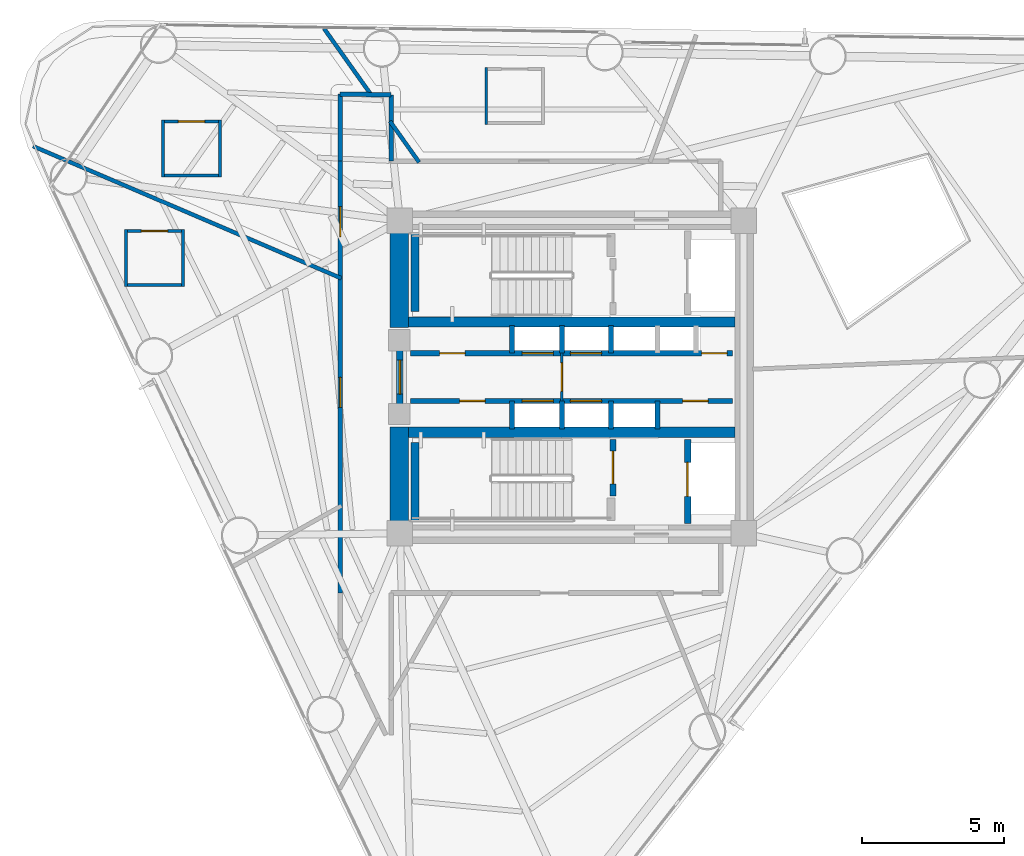
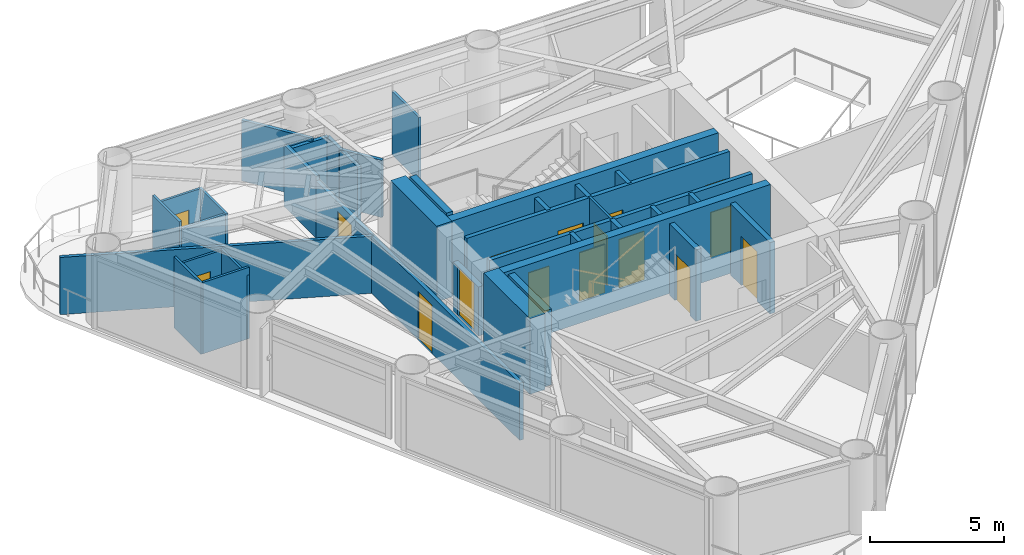
# One storey, part 6 of 10: 35 walls, 16 doors, 16 openings.
"""IFC4 building model written with IfcOpenShell, lengths in metres."""

from ifc_helpers import new_model, si_unit, direction, frame, frame_2d, origin, place, context, subcontext, project, spatial, rectangle, extrude, material, layer, layer_set, type_object, element, fill, save


model = new_model("IFC4")

# Units and contexts
model_context = context("Model", 3, precision=1e-05, world=origin(), true_north=direction((0.0, 1.0)))
body_context = subcontext(model_context, "Body", "Model", "MODEL_VIEW")
ifc_project = project(units=[si_unit("LENGTHUNIT", "METRE"), si_unit("AREAUNIT", "SQUARE_METRE"), si_unit("VOLUMEUNIT", "CUBIC_METRE"), si_unit("PLANEANGLEUNIT", "RADIAN"), si_unit("MASSUNIT", "GRAM", prefix="KILO")], contexts=[model_context])

# Site, building, storey
site_placement = place(None, origin())
site = spatial("IfcSite", under=ifc_project, at=site_placement, CompositionType="ELEMENT")
building_placement = place(site_placement, origin())
building = spatial("IfcBuilding", under=site, at=building_placement, Name="Yunling Apex Tower", CompositionType="ELEMENT")
storey_placement = place(building_placement, frame((0.0, 0.0, 139.85009765625)))
storey = spatial("IfcBuildingStorey", under=building, at=storey_placement, Name="L34", CompositionType="ELEMENT", Elevation=139.85009765625)

# Walls
ifc_material_1 = material(Name="Concrete C50", Category="concrete")
ifc_layer_1 = layer(ifc_material_1, 0.64990234375)
ifc_layer_set_1 = layer_set([ifc_layer_1], Name="Concrete C50")
wall_type_1 = type_object("IfcWallType", Name="WL-COR-2", PredefinedType="SHEAR", material=ifc_layer_set_1)
for number, where, z_axis, x_axis, name in (
    (1, (-6.074951171875, -5.199951171875, 0.0), (0.0, 0.0, 1.0), (0.0, 1.0, 0.0), "L34 West-South Core Shear Wall"),
    (2, (-6.074951171875, 1.75, 0.0), (0.0, 0.0, 1.0), (0.0, 1.0, 0.0), "L34 West-North Core Shear Wall"),
):
    element("IfcWall", number, at=place(storey_placement, frame(where, z_axis=z_axis, x_axis=x_axis)), inside=storey, type_object=wall_type_1, Name=name, PredefinedType="SHEAR", context=body_context, shape_type="SweptSolid", body=[
        extrude(rectangle(XDim=3.449951171875, YDim=0.64990234375, at=frame_2d((1.72509765625, 0.0))), origin(), (0.0, 0.0, 1.0), 3.449951171875),
    ])
ifc_material_2 = material(Name="Concrete C40", Category="concrete")
ifc_layer_2 = layer(ifc_material_2, 0.360107421875)
ifc_layer_set_2 = layer_set([ifc_layer_2], Name="Concrete C40")
wall_type_2 = type_object("IfcWallType", Name="WL-COR-4", PredefinedType="SHEAR", material=ifc_layer_set_2)
for number, where, z_axis, x_axis, name in (
    (3, (-5.75, 1.93994140625, 0.0), (0.0, 0.0, 1.0), (1.0, 0.0, 0.0), "L34 North Internal Core Shear Wall"),
    (4, (-5.75, -1.93994140625, 0.0), (0.0, 0.0, 1.0), (1.0, 0.0, 0.0), "L34 South Internal Core Shear Wall"),
):
    element("IfcWall", number, at=place(storey_placement, frame(where, z_axis=z_axis, x_axis=x_axis)), inside=storey, type_object=wall_type_2, Name=name, PredefinedType="SHEAR", context=body_context, shape_type="SweptSolid", body=[
        extrude(rectangle(XDim=11.5, YDim=0.360107421875, at=frame_2d((5.75, 0.0))), origin(), (0.0, 0.0, 1.0), 3.449951171875),
    ])
ifc_layer_3 = layer(ifc_material_2, 0.280029296875)
ifc_layer_set_3 = layer_set([ifc_layer_3], Name="Concrete C40")
wall_type_3 = type_object("IfcWallType", Name="WL-COR-8", PredefinedType="SHEAR", material=ifc_layer_set_3)
for number, where, z_axis, x_axis, name in (
    (5, (-5.52001953125, 2.300048828125, 0.0), (0.0, 0.0, 1.0), (0.0, 1.0, 0.0), "L34 ST-1 West Landing Bearing Wall"),
    (6, (-5.52001953125, -5.050048828125, 0.0), (0.0, 0.0, 1.0), (0.0, 1.0, 0.0), "L34 ST-2 West Landing Bearing Wall"),
):
    element("IfcWall", number, at=place(storey_placement, frame(where, z_axis=z_axis, x_axis=x_axis)), inside=storey, type_object=wall_type_3, Name=name, PredefinedType="SHEAR", context=body_context, shape_type="SweptSolid", body=[
        extrude(rectangle(XDim=2.75, YDim=0.280029296875, at=frame_2d((1.375, 0.0))), origin(), (0.0, 0.0, 1.0), 3.449951171875),
    ])

# Wall, openings, doors
ifc_material_3 = material(Name="Gypsum board acoustic partition")
ifc_layer_4 = layer(ifc_material_3, 0.159912109375)
ifc_layer_set_4 = layer_set([ifc_layer_4], Name="Gypsum board acoustic partition")
wall_type_4 = type_object("IfcWallType", Name="WL-PRT-1", PredefinedType="PARTITIONING", material=ifc_layer_set_4)
wall_1_placement = place(storey_placement, frame((-8.14990234375, -7.60009765625, 0.0), z_axis=(0.0, 0.0, 1.0), x_axis=(0.0, 1.0, 0.0)))
wall_1 = element("IfcWall", 7, at=wall_1_placement, inside=storey, type_object=wall_type_4, Name="WL-CORR-L34-03", PredefinedType="PARTITIONING", context=body_context, shape_type="SweptSolid", body=[
    extrude(rectangle(XDim=15.2001953125, YDim=0.159912109375, at=frame_2d((7.60009765625, 0.0))), origin(), (0.0, 0.0, 1.0), 2.60498046875),
])
opening_1_placement = place(wall_1_placement, frame((6.538330078125, 0.0, 0.0)))
opening_1 = element("IfcOpeningElement", 8, at=opening_1_placement, cuts=wall_1, Name="Opening DR-FL-1", PredefinedType="OPENING", context=body_context, shape_type="SweptSolid", body=[
    extrude(rectangle(XDim=1.050048828125, YDim=2.199951171875, at=frame_2d((0.52490234375, 1.10009765625))), frame((0.0, 0.08984375, 0.0), z_axis=(0.0, -1.0, 0.0), x_axis=(1.0, 0.0, 0.0)), (0.0, 0.0, 1.0), 0.179931640625),
])
opening_2_placement = place(wall_1_placement, frame((12.548095703125, 0.0, 0.0)))
opening_2 = element("IfcOpeningElement", 9, at=opening_2_placement, cuts=wall_1, Name="Opening DR-FL-1", PredefinedType="OPENING", context=body_context, shape_type="SweptSolid", body=[
    extrude(rectangle(XDim=1.050048828125, YDim=2.199951171875, at=frame_2d((0.52490234375, 1.10009765625))), frame((0.0, 0.08984375, 0.0), z_axis=(0.0, -1.0, 0.0), x_axis=(1.0, 0.0, 0.0)), (0.0, 0.0, 1.0), 0.179931640625),
])
ifc_material_4 = material(Name="Timber fire-rated leaf", Category="wood")
door_type_1 = type_object("IfcDoorType", Name="DR-FL-1", OperationType="NOTDEFINED", PredefinedType="DOOR", material=ifc_material_4)
door_1_placement = place(opening_1_placement, origin())
door_1 = element("IfcDoor", 10, at=door_1_placement, inside=storey, type_object=door_type_1, Name="L34 Hotel Suite Door", OperationType="SINGLE_SWING_LEFT", OverallHeight=2.199951171875, OverallWidth=1.050048828125, PredefinedType="DOOR", context=body_context, shape_type="SweptSolid", body=[
    extrude(rectangle(XDim=1.050048828125, YDim=2.199951171875, at=frame_2d((0.52490234375, 1.10009765625))), frame((0.0, 0.02490234375, 0.0), z_axis=(0.0, -1.0, 0.0), x_axis=(1.0, 0.0, 0.0)), (0.0, 0.0, 1.0), 0.050048828125),
])
fill(opening_1, door_1)
door_2_placement = place(opening_2_placement, origin())
door_2 = element("IfcDoor", 11, at=door_2_placement, inside=storey, type_object=door_type_1, Name="L34 Hotel Suite Door", OperationType="SINGLE_SWING_RIGHT", OverallHeight=2.199951171875, OverallWidth=1.050048828125, PredefinedType="DOOR", context=body_context, shape_type="SweptSolid", body=[
    extrude(rectangle(XDim=1.050048828125, YDim=2.199951171875, at=frame_2d((0.52490234375, 1.10009765625))), frame((0.0, 0.02490234375, 0.0), z_axis=(0.0, -1.0, 0.0), x_axis=(1.0, 0.0, 0.0)), (0.0, 0.0, 1.0), 0.050048828125),
])
fill(opening_2, door_2)

# Walls
wall_2_placement = place(storey_placement, frame((-8.14990234375, 7.60009765625, 0.0), z_axis=(0.0, 0.0, 1.0), x_axis=(0.0, 1.0, 0.0)))
element("IfcWall", 12, at=wall_2_placement, inside=storey, type_object=wall_type_4, Name="WL-CORR-L34-04", PredefinedType="PARTITIONING", context=body_context, shape_type="SweptSolid", body=[
    extrude(rectangle(XDim=2.362548828125, YDim=0.159912109375, at=frame_2d((1.18115234375, 0.0))), origin(), (0.0, 0.0, 1.0), 2.804931640625),
])
wall_3_placement = place(storey_placement, frame((-8.14990234375, 9.962646484375, 0.0), z_axis=(0.0, 0.0, 1.0), x_axis=(0.999859277964, -0.016775704705, 0.0)))
element("IfcWall", 13, at=wall_3_placement, inside=storey, type_object=wall_type_4, Name="WL-CORR-L34-05", PredefinedType="PARTITIONING", context=body_context, shape_type="SweptSolid", body=[
    extrude(rectangle(XDim=1.7900390625, YDim=0.159912109375, at=frame_2d((0.89501953125, 0.0))), origin(), (0.0, 0.0, 1.0), 2.60498046875),
])
wall_4_placement = place(storey_placement, frame((-6.360107421875, 9.9326171875, 0.0), z_axis=(0.0, 0.0, 1.0), x_axis=(0.0, -1.0, 0.0)))
element("IfcWall", 14, at=wall_4_placement, inside=storey, type_object=wall_type_4, Name="WL-CORR-L34-06", PredefinedType="PARTITIONING", context=body_context, shape_type="SweptSolid", body=[
    extrude(rectangle(XDim=2.33251953125, YDim=0.159912109375, at=frame_2d((1.166259765625, 0.0))), origin(), (0.0, 0.0, 1.0), 2.60498046875),
])
ifc_layer_5 = layer(ifc_material_3, 0.139892578125)
ifc_layer_set_5 = layer_set([ifc_layer_5], Name="Gypsum board acoustic partition")
wall_type_5 = type_object("IfcWallType", Name="WL-PRT-2", PredefinedType="PARTITIONING", material=ifc_layer_set_5)
wall_5_placement = place(storey_placement, frame((-5.37255859375, 7.56005859375, 0.0), z_axis=(0.0, 0.0, 1.0), x_axis=(-0.579296202647, 0.815117114039, 0.0)))
element("IfcWall", 15, at=wall_5_placement, inside=storey, type_object=wall_type_5, Name="WL-RAD-L34-03", PredefinedType="PARTITIONING", context=body_context, shape_type="SweptSolid", body=[
    extrude(rectangle(XDim=1.7734375, YDim=0.139892578125, at=frame_2d((0.88671875, 0.0))), origin(), (0.0, 0.0, 1.0), 2.60498046875),
])
wall_6_placement = place(storey_placement, frame((-7.038330078125, 9.904052734375, 0.0), z_axis=(0.0, 0.0, 1.0), x_axis=(-0.57933697246, 0.815088137775, 0.0)))
element("IfcWall", 16, at=wall_6_placement, inside=storey, type_object=wall_type_5, Name="WL-RAD-L34-04", PredefinedType="PARTITIONING", context=body_context, shape_type="SweptSolid", body=[
    extrude(rectangle(XDim=2.893310546875, YDim=0.139892578125, at=frame_2d((1.44677734375, 0.0))), origin(), (0.0, 0.0, 1.0), 2.764892578125),
])
wall_7_placement = place(storey_placement, frame((-8.110107421875, 3.47607421875, 0.0), z_axis=(0.0, 0.0, 1.0), x_axis=(-0.919140751836, 0.393929280854, 0.0)))
element("IfcWall", 17, at=wall_7_placement, inside=storey, type_object=wall_type_5, Name="WL-RAD-L34-05", PredefinedType="PARTITIONING", context=body_context, shape_type="SweptSolid", body=[
    extrude(rectangle(XDim=11.806884765625, YDim=0.139892578125, at=frame_2d((5.9033203125, 0.0))), origin(), (0.0, 0.0, 1.0), 2.60498046875),
])

# Wall, opening, door
ifc_layer_6 = layer(ifc_material_3, 0.10009765625)
ifc_layer_set_6 = layer_set([ifc_layer_6], Name="Gypsum board acoustic partition")
wall_type_6 = type_object("IfcWallType", Name="WL-PRT-4", PredefinedType="PARTITIONING", material=ifc_layer_set_6)
wall_8_placement = place(storey_placement, frame((-0.35009765625, -0.840087890625, 0.0), z_axis=(0.0, 0.0, 1.0), x_axis=(0.0, 1.0, 0.0)))
wall_8 = element("IfcWall", 18, at=wall_8_placement, inside=storey, type_object=wall_type_6, Name="WL-LOB-MID-L34", PredefinedType="PARTITIONING", context=body_context, shape_type="SweptSolid", body=[
    extrude(rectangle(XDim=1.68017578125, YDim=0.10009765625, at=frame_2d((0.840087890625, 0.0))), origin(), (0.0, 0.0, 1.0), 3.25),
])
opening_3_placement = place(wall_8_placement, frame((0.340087890625, 0.0, 0.0)))
opening_3 = element("IfcOpeningElement", 19, at=opening_3_placement, cuts=wall_8, Name="Opening DR-OFF-1", PredefinedType="OPENING", context=body_context, shape_type="SweptSolid", body=[
    extrude(rectangle(XDim=1.0, YDim=2.25, at=frame_2d((0.5, 1.125))), frame((0.0, 0.06005859375, 0.0), z_axis=(0.0, -1.0, 0.0), x_axis=(1.0, 0.0, 0.0)), (0.0, 0.0, 1.0), 0.1201171875),
])
ifc_material_5 = material(Name="Bronze anodised aluminium", Category="aluminium")
door_type_2 = type_object("IfcDoorType", Name="DR-OFF-1", OperationType="NOTDEFINED", PredefinedType="DOOR", material=ifc_material_5)
door_3_placement = place(opening_3_placement, origin())
door_3 = element("IfcDoor", 20, at=door_3_placement, inside=storey, type_object=door_type_2, Name="L34 Core Lobby Link Door", OperationType="SINGLE_SWING_RIGHT", OverallHeight=2.25, OverallWidth=1.0, PredefinedType="DOOR", context=body_context, shape_type="SweptSolid", body=[
    extrude(rectangle(XDim=1.0, YDim=2.25, at=frame_2d((0.5, 1.125))), frame((0.0, 0.02490234375, 0.0), z_axis=(0.0, -1.0, 0.0), x_axis=(1.0, 0.0, 0.0)), (0.0, 0.0, 1.0), 0.050048828125),
])
fill(opening_3, door_3)

# Wall
wall_9_placement = place(storey_placement, frame((-3.009033203125, 8.89208984375, 0.0), z_axis=(0.0, 0.0, 1.0), x_axis=(0.0, 1.0, 0.0)))
element("IfcWall", 21, at=wall_9_placement, inside=storey, type_object=wall_type_6, Name="WL-ENS-L34-5W", PredefinedType="PARTITIONING", context=body_context, shape_type="SweptSolid", body=[
    extrude(rectangle(XDim=2.0, YDim=0.10009765625, at=frame_2d((1.0, 0.0))), origin(), (0.0, 0.0, 1.0), 2.90478515625),
])

# Wall, opening, door
wall_10_placement = place(storey_placement, frame((-14.43310546875, 9.0, 0.0), z_axis=(0.0, 0.0, 1.0), x_axis=(1.0, 0.0, 0.0)))
wall_10 = element("IfcWall", 22, at=wall_10_placement, inside=storey, type_object=wall_type_6, Name="WL-ENS-L34-6N", PredefinedType="PARTITIONING", context=body_context, shape_type="SweptSolid", body=[
    extrude(rectangle(XDim=2.10009765625, YDim=0.10009765625, at=frame_2d((1.050048828125, 0.0))), origin(), (0.0, 0.0, 1.0), 2.90478515625),
])
opening_4_placement = place(wall_10_placement, frame((0.590087890625, 0.0, 0.0)))
opening_4 = element("IfcOpeningElement", 23, at=opening_4_placement, cuts=wall_10, Name="Opening DR-WC-1", PredefinedType="OPENING", context=body_context, shape_type="SweptSolid", body=[
    extrude(rectangle(XDim=0.919921875, YDim=2.10009765625, at=frame_2d((0.4599609375, 1.050048828125))), frame((0.0, 0.06005859375, 0.0), z_axis=(0.0, -1.0, 0.0), x_axis=(1.0, 0.0, 0.0)), (0.0, 0.0, 1.0), 0.1201171875),
])
ifc_material_6 = material(Name="Timber moisture-resistant leaf", Category="wood")
door_type_3 = type_object("IfcDoorType", Name="DR-WC-1", OperationType="NOTDEFINED", PredefinedType="DOOR", material=ifc_material_6)
door_4_placement = place(opening_4_placement, origin())
door_4 = element("IfcDoor", 24, at=door_4_placement, inside=storey, type_object=door_type_3, Name="L34 En-Suite Door", OperationType="SINGLE_SWING_RIGHT", OverallHeight=2.10009765625, OverallWidth=0.919921875, PredefinedType="DOOR", context=body_context, shape_type="SweptSolid", body=[
    extrude(rectangle(XDim=0.919921875, YDim=2.10009765625, at=frame_2d((0.4599609375, 1.050048828125))), frame((0.0, 0.02490234375, 0.0), z_axis=(0.0, -1.0, 0.0), x_axis=(1.0, 0.0, 0.0)), (0.0, 0.0, 1.0), 0.050048828125),
])
fill(opening_4, door_4)

# Walls
wall_11_placement = place(storey_placement, frame((-12.3330078125, 7.10009765625, 0.0), z_axis=(0.0, 0.0, 1.0), x_axis=(-1.0, 0.0, 0.0)))
element("IfcWall", 25, at=wall_11_placement, inside=storey, type_object=wall_type_6, Name="WL-ENS-L34-6S", PredefinedType="PARTITIONING", context=body_context, shape_type="SweptSolid", body=[
    extrude(rectangle(XDim=2.10009765625, YDim=0.10009765625, at=frame_2d((1.050048828125, 0.0))), origin(), (0.0, 0.0, 1.0), 2.90478515625),
])
wall_12_placement = place(storey_placement, frame((-12.383056640625, 9.050048828125, 0.0), z_axis=(0.0, 0.0, 1.0), x_axis=(0.0, -1.0, 0.0)))
element("IfcWall", 26, at=wall_12_placement, inside=storey, type_object=wall_type_6, Name="WL-ENS-L34-6E", PredefinedType="PARTITIONING", context=body_context, shape_type="SweptSolid", body=[
    extrude(rectangle(XDim=2.0, YDim=0.10009765625, at=frame_2d((1.0, 0.0))), origin(), (0.0, 0.0, 1.0), 2.90478515625),
])
wall_13_placement = place(storey_placement, frame((-14.383056640625, 7.050048828125, 0.0), z_axis=(0.0, 0.0, 1.0), x_axis=(0.0, 1.0, 0.0)))
element("IfcWall", 27, at=wall_13_placement, inside=storey, type_object=wall_type_6, Name="WL-ENS-L34-6W", PredefinedType="PARTITIONING", context=body_context, shape_type="SweptSolid", body=[
    extrude(rectangle(XDim=2.0, YDim=0.10009765625, at=frame_2d((1.0, 0.0))), origin(), (0.0, 0.0, 1.0), 3.25),
])

# Wall, opening, door
wall_14_placement = place(storey_placement, frame((-15.736083984375, 5.14111328125, 0.0), z_axis=(0.0, 0.0, 1.0), x_axis=(1.0, 0.0, 0.0)))
wall_14 = element("IfcWall", 28, at=wall_14_placement, inside=storey, type_object=wall_type_6, Name="WL-ENS-L34-7N", PredefinedType="PARTITIONING", context=body_context, shape_type="SweptSolid", body=[
    extrude(rectangle(XDim=2.10009765625, YDim=0.10009765625, at=frame_2d((1.050048828125, 0.0))), origin(), (0.0, 0.0, 1.0), 2.90478515625),
])
opening_5_placement = place(wall_14_placement, frame((0.590087890625, 0.0, 0.0)))
opening_5 = element("IfcOpeningElement", 29, at=opening_5_placement, cuts=wall_14, Name="Opening DR-WC-1", PredefinedType="OPENING", context=body_context, shape_type="SweptSolid", body=[
    extrude(rectangle(XDim=0.919921875, YDim=2.10009765625, at=frame_2d((0.4599609375, 1.050048828125))), frame((0.0, 0.06005859375, 0.0), z_axis=(0.0, -1.0, 0.0), x_axis=(1.0, 0.0, 0.0)), (0.0, 0.0, 1.0), 0.1201171875),
])
door_5_placement = place(opening_5_placement, origin())
door_5 = element("IfcDoor", 30, at=door_5_placement, inside=storey, type_object=door_type_3, Name="L34 En-Suite Door", OperationType="SINGLE_SWING_LEFT", OverallHeight=2.10009765625, OverallWidth=0.919921875, PredefinedType="DOOR", context=body_context, shape_type="SweptSolid", body=[
    extrude(rectangle(XDim=0.919921875, YDim=2.10009765625, at=frame_2d((0.4599609375, 1.050048828125))), frame((0.0, 0.02490234375, 0.0), z_axis=(0.0, -1.0, 0.0), x_axis=(1.0, 0.0, 0.0)), (0.0, 0.0, 1.0), 0.050048828125),
])
fill(opening_5, door_5)

# Walls
wall_15_placement = place(storey_placement, frame((-13.635986328125, 3.240966796875, 0.0), z_axis=(0.0, 0.0, 1.0), x_axis=(-1.0, 0.0, 0.0)))
element("IfcWall", 31, at=wall_15_placement, inside=storey, type_object=wall_type_6, Name="WL-ENS-L34-7S", PredefinedType="PARTITIONING", context=body_context, shape_type="SweptSolid", body=[
    extrude(rectangle(XDim=2.10009765625, YDim=0.10009765625, at=frame_2d((1.050048828125, 0.0))), origin(), (0.0, 0.0, 1.0), 3.25),
])
wall_16_placement = place(storey_placement, frame((-13.68603515625, 5.19091796875, 0.0), z_axis=(0.0, 0.0, 1.0), x_axis=(0.0, -1.0, 0.0)))
element("IfcWall", 32, at=wall_16_placement, inside=storey, type_object=wall_type_6, Name="WL-ENS-L34-7E", PredefinedType="PARTITIONING", context=body_context, shape_type="SweptSolid", body=[
    extrude(rectangle(XDim=2.0, YDim=0.10009765625, at=frame_2d((1.0, 0.0))), origin(), (0.0, 0.0, 1.0), 2.90478515625),
])
wall_17_placement = place(storey_placement, frame((-15.68603515625, 3.19091796875, 0.0), z_axis=(0.0, 0.0, 1.0), x_axis=(0.0, 1.0, 0.0)))
element("IfcWall", 33, at=wall_17_placement, inside=storey, type_object=wall_type_6, Name="WL-ENS-L34-7W", PredefinedType="PARTITIONING", context=body_context, shape_type="SweptSolid", body=[
    extrude(rectangle(XDim=2.0, YDim=0.10009765625, at=frame_2d((1.0, 0.0))), origin(), (0.0, 0.0, 1.0), 3.25),
])

# Wall, opening, door
ifc_material_7 = material(Name="Autoclaved aerated concrete masonry", Category="masonry")
ifc_layer_7 = layer(ifc_material_7, 0.219970703125)
ifc_layer_set_7 = layer_set([ifc_layer_7], Name="Autoclaved aerated concrete masonry")
wall_type_7 = type_object("IfcWallType", Name="WL-SHF-1", PredefinedType="PLUMBINGWALL", material=ifc_layer_set_7)
wall_18_placement = place(storey_placement, frame((-6.050048828125, -0.949951171875, 0.0), z_axis=(0.0, 0.0, 1.0), x_axis=(0.0, 1.0, 0.0)))
wall_18 = element("IfcWall", 34, at=wall_18_placement, inside=storey, type_object=wall_type_7, Name="WL-COR-WPORT-L34", PredefinedType="PLUMBINGWALL", context=body_context, shape_type="SweptSolid", body=[
    extrude(rectangle(XDim=1.89990234375, YDim=0.219970703125, at=frame_2d((0.949951171875, 0.0))), origin(), (0.0, 0.0, 1.0), 2.22998046875),
])
opening_6_placement = place(wall_18_placement, frame((0.35009765625, 0.0, 0.0)))
opening_6 = element("IfcOpeningElement", 35, at=opening_6_placement, cuts=wall_18, Name="Opening DR-FFL-1", PredefinedType="OPENING", context=body_context, shape_type="SweptSolid", body=[
    extrude(rectangle(XDim=1.199951171875, YDim=2.199951171875, at=frame_2d((0.60009765625, 1.10009765625))), frame((0.0, 0.1201171875, 0.0), z_axis=(0.0, -1.0, 0.0), x_axis=(1.0, 0.0, 0.0)), (0.0, 0.0, 1.0), 0.239990234375),
])
ifc_material_8 = material(Name="Steel Q355B", Category="steel")
door_type_4 = type_object("IfcDoorType", Name="DR-FFL-1", OperationType="NOTDEFINED", PredefinedType="DOOR", material=ifc_material_8)
door_6_placement = place(opening_6_placement, origin())
door_6 = element("IfcDoor", 36, at=door_6_placement, inside=storey, type_object=door_type_4, Name="L34 Passenger Lift Lobby Entrance Door", OperationType="SINGLE_SWING_LEFT", OverallHeight=2.199951171875, OverallWidth=1.199951171875, PredefinedType="DOOR", context=body_context, shape_type="SweptSolid", body=[
    extrude(rectangle(XDim=1.199951171875, YDim=2.199951171875, at=frame_2d((0.60009765625, 1.10009765625))), frame((0.0, 0.02490234375, 0.0), z_axis=(0.0, -1.0, 0.0), x_axis=(1.0, 0.0, 0.0)), (0.0, 0.0, 1.0), 0.050048828125),
])
fill(opening_6, door_6)

wall_19_placement = place(storey_placement, frame((1.449951171875, -4.179931640625, 0.0), z_axis=(0.0, 0.0, 1.0), x_axis=(0.0, 1.0, 0.0)))
wall_19 = element("IfcWall", 37, at=wall_19_placement, inside=storey, type_object=wall_type_7, Name="WL-ST2-E-L34", PredefinedType="PLUMBINGWALL", context=body_context, shape_type="SweptSolid", body=[
    extrude(rectangle(XDim=1.97998046875, YDim=0.219970703125, at=frame_2d((0.989990234375, 0.0))), origin(), (0.0, 0.0, 1.0), 3.25),
])
opening_7_placement = place(wall_19_placement, frame((0.419921875, 0.0, 0.0)))
opening_7 = element("IfcOpeningElement", 38, at=opening_7_placement, cuts=wall_19, Name="Opening DR-ST-1", PredefinedType="OPENING", context=body_context, shape_type="SweptSolid", body=[
    extrude(rectangle(XDim=1.14990234375, YDim=2.14990234375, at=frame_2d((0.574951171875, 1.074951171875))), frame((0.0, 0.1201171875, 0.0), z_axis=(0.0, -1.0, 0.0), x_axis=(1.0, 0.0, 0.0)), (0.0, 0.0, 1.0), 0.239990234375),
])
door_type_5 = type_object("IfcDoorType", Name="DR-ST-1", OperationType="NOTDEFINED", PredefinedType="DOOR", material=ifc_material_8)
door_7_placement = place(opening_7_placement, origin())
door_7 = element("IfcDoor", 39, at=door_7_placement, inside=storey, type_object=door_type_5, Name="L34 Stair ST-2 Fire Door", OperationType="SINGLE_SWING_LEFT", OverallHeight=2.14990234375, OverallWidth=1.14990234375, PredefinedType="DOOR", context=body_context, shape_type="SweptSolid", body=[
    extrude(rectangle(XDim=1.14990234375, YDim=2.14990234375, at=frame_2d((0.574951171875, 1.074951171875))), frame((0.0, 0.02490234375, 0.0), z_axis=(0.0, -1.0, 0.0), x_axis=(1.0, 0.0, 0.0)), (0.0, 0.0, 1.0), 0.050048828125),
])
fill(opening_7, door_7)

wall_20_placement = place(storey_placement, frame((4.080078125, -5.14990234375, 0.0), z_axis=(0.0, 0.0, 1.0), x_axis=(0.0, 1.0, 0.0)))
wall_20 = element("IfcWall", 40, at=wall_20_placement, inside=storey, type_object=wall_type_7, Name="WL-FFL2-W-L34", PredefinedType="PLUMBINGWALL", context=body_context, shape_type="SweptSolid", body=[
    extrude(rectangle(XDim=2.949951171875, YDim=0.219970703125, at=frame_2d((1.47509765625, 0.0))), origin(), (0.0, 0.0, 1.0), 3.25),
])
opening_8_placement = place(wall_20_placement, frame((0.949951171875, 0.0, 0.0)))
opening_8 = element("IfcOpeningElement", 41, at=opening_8_placement, cuts=wall_20, Name="Opening LD-FFL-1", PredefinedType="OPENING", context=body_context, shape_type="SweptSolid", body=[
    extrude(rectangle(XDim=1.199951171875, YDim=2.25, at=frame_2d((0.60009765625, 1.125))), frame((0.0, 0.1201171875, 0.0), z_axis=(0.0, -1.0, 0.0), x_axis=(1.0, 0.0, 0.0)), (0.0, 0.0, 1.0), 0.239990234375),
])
door_type_6 = type_object("IfcDoorType", Name="LD-FFL-1", OperationType="DOUBLE_DOOR_SLIDING", PredefinedType="DOOR", material=ifc_material_8)
door_8_placement = place(opening_8_placement, origin())
door_8 = element("IfcDoor", 42, at=door_8_placement, inside=storey, type_object=door_type_6, Name="L34 Lift FFL-2 Landing Door", OperationType="DOUBLE_DOOR_SLIDING", OverallHeight=2.25, OverallWidth=1.199951171875, PredefinedType="DOOR", context=body_context, shape_type="SweptSolid", body=[
    extrude(rectangle(XDim=1.199951171875, YDim=2.25, at=frame_2d((0.60009765625, 1.125))), frame((0.0, 0.02490234375, 0.0), z_axis=(0.0, -1.0, 0.0), x_axis=(1.0, 0.0, 0.0)), (0.0, 0.0, 1.0), 0.050048828125),
])
fill(opening_8, door_8)

# Walls
ifc_layer_8 = layer(ifc_material_7, 0.179931640625)
ifc_layer_set_8 = layer_set([ifc_layer_8], Name="Autoclaved aerated concrete masonry")
wall_type_8 = type_object("IfcWallType", Name="WL-SHF-2", PredefinedType="PLUMBINGWALL", material=ifc_layer_set_8)
for number, where, z_axis, x_axis, name in (
    (43, (-2.10009765625, 0.840087890625, 0.0), (0.0, 0.0, 1.0), (0.0, 1.0, 0.0), "WL-BNK-LM-N-L34"),
    (44, (-2.10009765625, -1.820068359375, 0.0), (0.0, 0.0, 1.0), (0.0, 1.0, 0.0), "WL-BNK-LM-S-L34"),
    (45, (-0.35009765625, 0.840087890625, 0.0), (0.0, 0.0, 1.0), (0.0, 1.0, 0.0), "WL-DIV-M12-L34"),
    (46, (-0.35009765625, -1.820068359375, 0.0), (0.0, 0.0, 1.0), (0.0, 1.0, 0.0), "WL-DIV-M34-L34"),
    (47, (1.3798828125, 0.840087890625, 0.0), (0.0, 0.0, 1.0), (0.0, 1.0, 0.0), "WL-BNK-MH-N-L34"),
    (48, (1.3798828125, -1.820068359375, 0.0), (0.0, 0.0, 1.0), (0.0, 1.0, 0.0), "WL-BNK-MH-S-L34"),
    (49, (3.02001953125, -1.820068359375, 0.0), (0.0, 0.0, 1.0), (0.0, 1.0, 0.0), "WL-END-H2E-L34"),
):
    element("IfcWall", number, at=place(storey_placement, frame(where, z_axis=z_axis, x_axis=x_axis)), inside=storey, type_object=wall_type_8, Name=name, PredefinedType="PLUMBINGWALL", context=body_context, shape_type="SweptSolid", body=[
        extrude(rectangle(XDim=0.97998046875, YDim=0.179931640625, at=frame_2d((0.489990234375, 0.0))), origin(), (0.0, 0.0, 1.0), 3.25),
    ])

# Wall, openings, doors
wall_21_placement = place(storey_placement, frame((-5.679931640625, 0.840087890625, 0.0), z_axis=(0.0, 0.0, 1.0), x_axis=(1.0, 0.0, 0.0)))
wall_21 = element("IfcWall", 50, at=wall_21_placement, inside=storey, type_object=wall_type_8, Name="WL-LOB-N-L34", PredefinedType="PLUMBINGWALL", context=body_context, shape_type="SweptSolid", body=[
    extrude(rectangle(XDim=11.329833984375, YDim=0.179931640625, at=frame_2d((5.6650390625, 0.0))), origin(), (0.0, 0.0, 1.0), 3.25),
])
opening_9_placement = place(wall_21_placement, frame((1.030029296875, 0.0, 0.0)))
opening_9 = element("IfcOpeningElement", 51, at=opening_9_placement, cuts=wall_21, Name="Opening DR-SHF-1", PredefinedType="OPENING", context=body_context, shape_type="SweptSolid", body=[
    extrude(rectangle(XDim=0.89990234375, YDim=2.050048828125, at=frame_2d((0.449951171875, 1.02490234375))), frame((0.0, 0.10009765625, 0.0), z_axis=(0.0, -1.0, 0.0), x_axis=(1.0, 0.0, 0.0)), (0.0, 0.0, 1.0), 0.199951171875),
])
opening_10_placement = place(wall_21_placement, frame((3.929931640625, 0.0, 0.0)))
opening_10 = element("IfcOpeningElement", 52, at=opening_10_placement, cuts=wall_21, Name="Opening LD-PAS-1", PredefinedType="OPENING", context=body_context, shape_type="SweptSolid", body=[
    extrude(rectangle(XDim=1.10009765625, YDim=2.199951171875, at=frame_2d((0.550048828125, 1.10009765625))), frame((0.0, 0.10009765625, 0.0), z_axis=(0.0, -1.0, 0.0), x_axis=(1.0, 0.0, 0.0)), (0.0, 0.0, 1.0), 0.199951171875),
])
opening_11_placement = place(wall_21_placement, frame((5.6298828125, 0.0, 0.0)))
opening_11 = element("IfcOpeningElement", 53, at=opening_11_placement, cuts=wall_21, Name="Opening LD-PAS-1", PredefinedType="OPENING", context=body_context, shape_type="SweptSolid", body=[
    extrude(rectangle(XDim=1.10009765625, YDim=2.199951171875, at=frame_2d((0.550048828125, 1.10009765625))), frame((0.0, 0.10009765625, 0.0), z_axis=(0.0, -1.0, 0.0), x_axis=(1.0, 0.0, 0.0)), (0.0, 0.0, 1.0), 0.199951171875),
])
opening_12_placement = place(wall_21_placement, frame((10.25, 0.0, 0.0)))
opening_12 = element("IfcOpeningElement", 54, at=opening_12_placement, cuts=wall_21, Name="Opening DR-SHF-1", PredefinedType="OPENING", context=body_context, shape_type="SweptSolid", body=[
    extrude(rectangle(XDim=0.89990234375, YDim=2.050048828125, at=frame_2d((0.449951171875, 1.02490234375))), frame((0.0, 0.10009765625, 0.0), z_axis=(0.0, -1.0, 0.0), x_axis=(1.0, 0.0, 0.0)), (0.0, 0.0, 1.0), 0.199951171875),
])
door_type_7 = type_object("IfcDoorType", Name="DR-SHF-1", OperationType="NOTDEFINED", PredefinedType="DOOR", material=ifc_material_8)
door_9_placement = place(opening_9_placement, origin())
door_9 = element("IfcDoor", 55, at=door_9_placement, inside=storey, type_object=door_type_7, Name="L34 LV Switchgear Door", OperationType="SINGLE_SWING_LEFT", OverallHeight=2.050048828125, OverallWidth=0.89990234375, PredefinedType="DOOR", context=body_context, shape_type="SweptSolid", body=[
    extrude(rectangle(XDim=0.89990234375, YDim=2.050048828125, at=frame_2d((0.449951171875, 1.02490234375))), frame((0.0, 0.02490234375, 0.0), z_axis=(0.0, -1.0, 0.0), x_axis=(1.0, 0.0, 0.0)), (0.0, 0.0, 1.0), 0.050048828125),
])
fill(opening_9, door_9)
door_10_placement = place(opening_12_placement, origin())
door_10 = element("IfcDoor", 56, at=door_10_placement, inside=storey, type_object=door_type_7, Name="L34 Core Janitor Closet Door", OperationType="SINGLE_SWING_RIGHT", OverallHeight=2.050048828125, OverallWidth=0.89990234375, PredefinedType="DOOR", context=body_context, shape_type="SweptSolid", body=[
    extrude(rectangle(XDim=0.89990234375, YDim=2.050048828125, at=frame_2d((0.449951171875, 1.02490234375))), frame((0.0, 0.02490234375, 0.0), z_axis=(0.0, -1.0, 0.0), x_axis=(1.0, 0.0, 0.0)), (0.0, 0.0, 1.0), 0.050048828125),
])
fill(opening_12, door_10)
ifc_material_9 = material(Name="Silver anodised aluminium", Category="aluminium")
door_type_8 = type_object("IfcDoorType", Name="LD-PAS-1", OperationType="DOUBLE_DOOR_SLIDING", PredefinedType="DOOR", material=ifc_material_9)
door_11_placement = place(opening_10_placement, origin())
door_11 = element("IfcDoor", 57, at=door_11_placement, inside=storey, type_object=door_type_8, Name="L34 Lift PL-M1 Landing Door", OperationType="DOUBLE_DOOR_SLIDING", OverallHeight=2.199951171875, OverallWidth=1.10009765625, PredefinedType="DOOR", context=body_context, shape_type="SweptSolid", body=[
    extrude(rectangle(XDim=1.10009765625, YDim=2.199951171875, at=frame_2d((0.550048828125, 1.10009765625))), frame((0.0, 0.02490234375, 0.0), z_axis=(0.0, -1.0, 0.0), x_axis=(1.0, 0.0, 0.0)), (0.0, 0.0, 1.0), 0.050048828125),
])
fill(opening_10, door_11)
door_12_placement = place(opening_11_placement, origin())
door_12 = element("IfcDoor", 58, at=door_12_placement, inside=storey, type_object=door_type_8, Name="L34 Lift PL-M2 Landing Door", OperationType="DOUBLE_DOOR_SLIDING", OverallHeight=2.199951171875, OverallWidth=1.10009765625, PredefinedType="DOOR", context=body_context, shape_type="SweptSolid", body=[
    extrude(rectangle(XDim=1.10009765625, YDim=2.199951171875, at=frame_2d((0.550048828125, 1.10009765625))), frame((0.0, 0.02490234375, 0.0), z_axis=(0.0, -1.0, 0.0), x_axis=(1.0, 0.0, 0.0)), (0.0, 0.0, 1.0), 0.050048828125),
])
fill(opening_11, door_12)

wall_22_placement = place(storey_placement, frame((-5.679931640625, -0.840087890625, 0.0), z_axis=(0.0, 0.0, 1.0), x_axis=(1.0, 0.0, 0.0)))
wall_22 = element("IfcWall", 59, at=wall_22_placement, inside=storey, type_object=wall_type_8, Name="WL-LOB-S-L34", PredefinedType="PLUMBINGWALL", context=body_context, shape_type="SweptSolid", body=[
    extrude(rectangle(XDim=11.329833984375, YDim=0.179931640625, at=frame_2d((5.6650390625, 0.0))), origin(), (0.0, 0.0, 1.0), 3.25),
])
opening_13_placement = place(wall_22_placement, frame((1.72998046875, 0.0, 0.0)))
opening_13 = element("IfcOpeningElement", 60, at=opening_13_placement, cuts=wall_22, Name="Opening DR-SHF-1", PredefinedType="OPENING", context=body_context, shape_type="SweptSolid", body=[
    extrude(rectangle(XDim=0.89990234375, YDim=2.050048828125, at=frame_2d((0.449951171875, 1.02490234375))), frame((0.0, 0.10009765625, 0.0), z_axis=(0.0, -1.0, 0.0), x_axis=(1.0, 0.0, 0.0)), (0.0, 0.0, 1.0), 0.199951171875),
])
opening_14_placement = place(wall_22_placement, frame((3.929931640625, 0.0, 0.0)))
opening_14 = element("IfcOpeningElement", 61, at=opening_14_placement, cuts=wall_22, Name="Opening LD-PAS-1", PredefinedType="OPENING", context=body_context, shape_type="SweptSolid", body=[
    extrude(rectangle(XDim=1.10009765625, YDim=2.199951171875, at=frame_2d((0.550048828125, 1.10009765625))), frame((0.0, 0.10009765625, 0.0), z_axis=(0.0, -1.0, 0.0), x_axis=(1.0, 0.0, 0.0)), (0.0, 0.0, 1.0), 0.199951171875),
])
opening_15_placement = place(wall_22_placement, frame((5.6298828125, 0.0, 0.0)))
opening_15 = element("IfcOpeningElement", 62, at=opening_15_placement, cuts=wall_22, Name="Opening LD-PAS-1", PredefinedType="OPENING", context=body_context, shape_type="SweptSolid", body=[
    extrude(rectangle(XDim=1.10009765625, YDim=2.199951171875, at=frame_2d((0.550048828125, 1.10009765625))), frame((0.0, 0.10009765625, 0.0), z_axis=(0.0, -1.0, 0.0), x_axis=(1.0, 0.0, 0.0)), (0.0, 0.0, 1.0), 0.199951171875),
])
opening_16_placement = place(wall_22_placement, frame((9.580078125, 0.0, 0.0)))
opening_16 = element("IfcOpeningElement", 63, at=opening_16_placement, cuts=wall_22, Name="Opening DR-SHF-1", PredefinedType="OPENING", context=body_context, shape_type="SweptSolid", body=[
    extrude(rectangle(XDim=0.89990234375, YDim=2.050048828125, at=frame_2d((0.449951171875, 1.02490234375))), frame((0.0, 0.10009765625, 0.0), z_axis=(0.0, -1.0, 0.0), x_axis=(1.0, 0.0, 0.0)), (0.0, 0.0, 1.0), 0.199951171875),
])
door_13_placement = place(opening_13_placement, origin())
door_13 = element("IfcDoor", 64, at=door_13_placement, inside=storey, type_object=door_type_7, Name="L34 Cleaners Store Door", OperationType="SINGLE_SWING_LEFT", OverallHeight=2.050048828125, OverallWidth=0.89990234375, PredefinedType="DOOR", context=body_context, shape_type="SweptSolid", body=[
    extrude(rectangle(XDim=0.89990234375, YDim=2.050048828125, at=frame_2d((0.449951171875, 1.02490234375))), frame((0.0, 0.02490234375, 0.0), z_axis=(0.0, -1.0, 0.0), x_axis=(1.0, 0.0, 0.0)), (0.0, 0.0, 1.0), 0.050048828125),
])
fill(opening_13, door_13)
door_14_placement = place(opening_16_placement, origin())
door_14 = element("IfcDoor", 65, at=door_14_placement, inside=storey, type_object=door_type_7, Name="L34 Core MEP Service Door", OperationType="SINGLE_SWING_RIGHT", OverallHeight=2.050048828125, OverallWidth=0.89990234375, PredefinedType="DOOR", context=body_context, shape_type="SweptSolid", body=[
    extrude(rectangle(XDim=0.89990234375, YDim=2.050048828125, at=frame_2d((0.449951171875, 1.02490234375))), frame((0.0, 0.02490234375, 0.0), z_axis=(0.0, -1.0, 0.0), x_axis=(1.0, 0.0, 0.0)), (0.0, 0.0, 1.0), 0.050048828125),
])
fill(opening_16, door_14)
door_15_placement = place(opening_14_placement, origin())
door_15 = element("IfcDoor", 66, at=door_15_placement, inside=storey, type_object=door_type_8, Name="L34 Lift PL-M3 Landing Door", OperationType="DOUBLE_DOOR_SLIDING", OverallHeight=2.199951171875, OverallWidth=1.10009765625, PredefinedType="DOOR", context=body_context, shape_type="SweptSolid", body=[
    extrude(rectangle(XDim=1.10009765625, YDim=2.199951171875, at=frame_2d((0.550048828125, 1.10009765625))), frame((0.0, 0.02490234375, 0.0), z_axis=(0.0, -1.0, 0.0), x_axis=(1.0, 0.0, 0.0)), (0.0, 0.0, 1.0), 0.050048828125),
])
fill(opening_14, door_15)
door_16_placement = place(opening_15_placement, origin())
door_16 = element("IfcDoor", 67, at=door_16_placement, inside=storey, type_object=door_type_8, Name="L34 Lift PL-M4 Landing Door", OperationType="DOUBLE_DOOR_SLIDING", OverallHeight=2.199951171875, OverallWidth=1.10009765625, PredefinedType="DOOR", context=body_context, shape_type="SweptSolid", body=[
    extrude(rectangle(XDim=1.10009765625, YDim=2.199951171875, at=frame_2d((0.550048828125, 1.10009765625))), frame((0.0, 0.02490234375, 0.0), z_axis=(0.0, -1.0, 0.0), x_axis=(1.0, 0.0, 0.0)), (0.0, 0.0, 1.0), 0.050048828125),
])
fill(opening_15, door_16)

save(model, "model.ifc")
